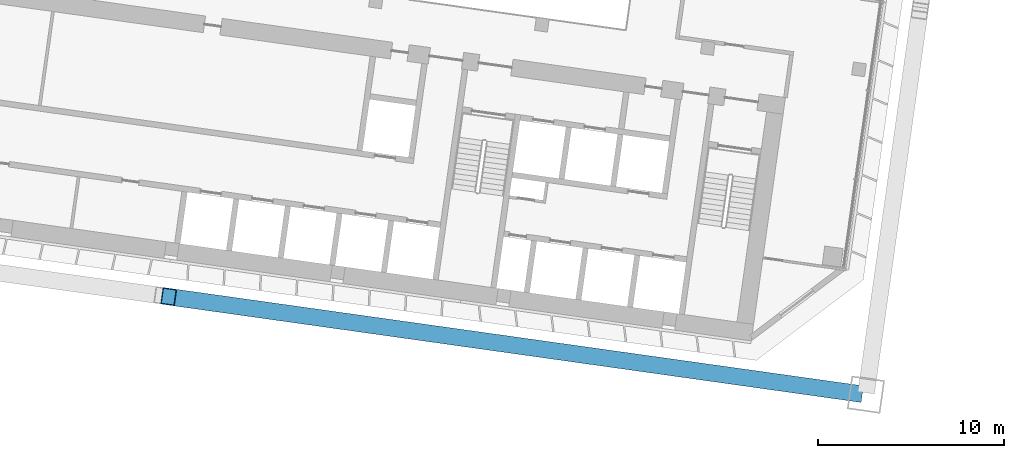
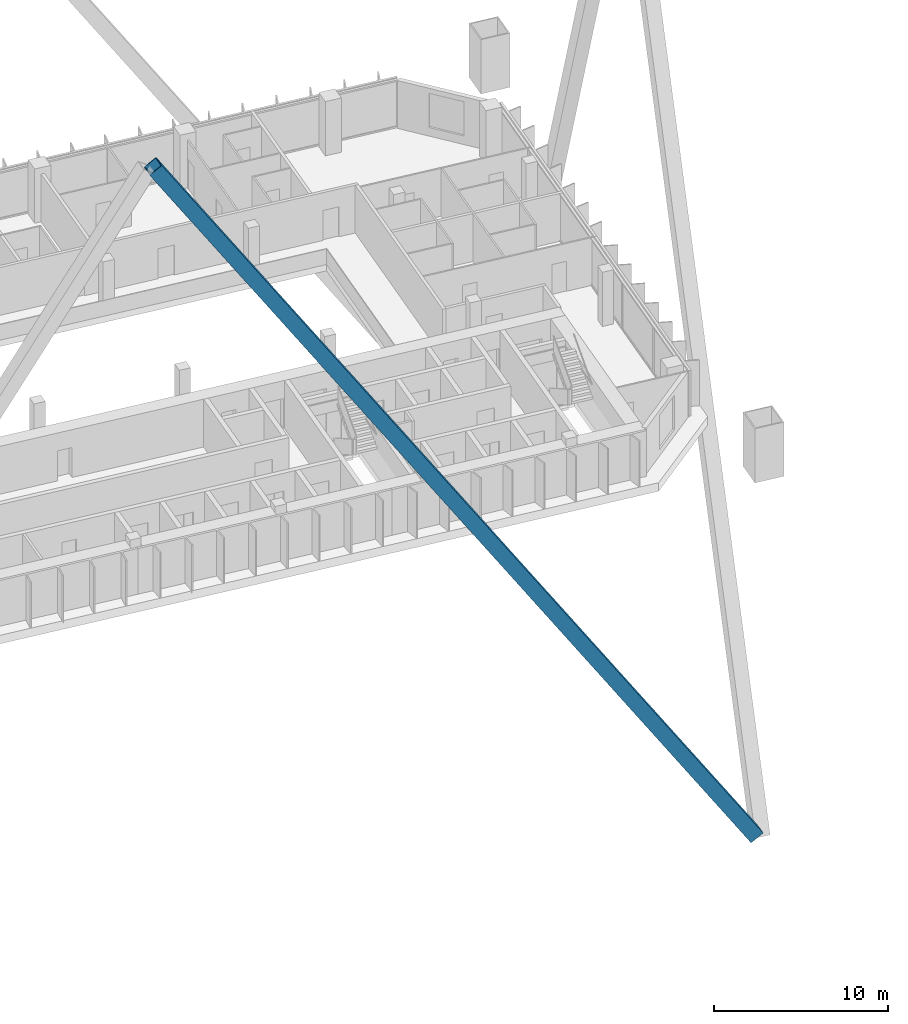
# One storey, part 5 of 49: 1 member.
"""IFC4 building model written with IfcOpenShell, lengths in metres."""

from ifc_helpers import new_model, si_unit, direction, frame, origin, origin_2d, place, context, subcontext, project, spatial, hollow_rectangle, extrude, material, material_profile, profile_set, type_object, element, save


model = new_model("IFC4")

# Units and contexts
model_context = context("Model", 3, precision=1e-05, world=origin(), true_north=direction((0.0, 1.0)))
body_context = subcontext(model_context, "Body", "Model", "MODEL_VIEW")
ifc_project = project(units=[si_unit("LENGTHUNIT", "METRE"), si_unit("AREAUNIT", "SQUARE_METRE"), si_unit("VOLUMEUNIT", "CUBIC_METRE"), si_unit("PLANEANGLEUNIT", "RADIAN"), si_unit("MASSUNIT", "GRAM", prefix="KILO")], contexts=[model_context])

# Site, building, storey
site_placement = place(None, origin())
site = spatial("IfcSite", under=ifc_project, at=site_placement, CompositionType="ELEMENT")
building_placement = place(site_placement, origin())
building = spatial("IfcBuilding", under=site, at=building_placement, Name="Mirante Cascada Hotel Towers", CompositionType="ELEMENT")
storey_placement = place(building_placement, frame((0.0, 0.0, 66.1)))
storey = spatial("IfcBuildingStorey", under=building, at=storey_placement, Name="L13", CompositionType="ELEMENT", Elevation=66.1)

# Member
ifc_material = material(Name="Steel ASTM A572 Gr 50", Category="steel")
ifc_material_profile = material_profile(ifc_material, hollow_rectangle(XDim=0.9, YDim=0.9, WallThickness=0.045, at=origin_2d()), Name="Box brace 900x900x45 ASTM A572 Gr 50")
ifc_profile_set = profile_set([ifc_material_profile], Name="Steel ASTM A572 Gr 50")
member_type = type_object("IfcMemberType", Name="Box brace 900x900x45 ASTM A572 Gr 50", PredefinedType="BRACE", material=ifc_profile_set)
member_placement = place(storey_placement, frame((-31.5107, -22.9941, -25.2549), z_axis=(-0.5445943, 0.0765389, 0.8351999), x_axis=(-0.1391752, -0.9902678, 0.0)))
element("IfcMember", 1, at=member_placement, inside=storey, type_object=member_type, Name="brace T1 L13 3", PredefinedType="BRACE", context=body_context, shape_type="SweptSolid", body=[
    extrude(hollow_rectangle(XDim=0.9, YDim=0.9, WallThickness=0.045, at=origin_2d()), origin(), (0.0, 0.0, 1.0), 67.7172),
])

save(model, "model.ifc")
